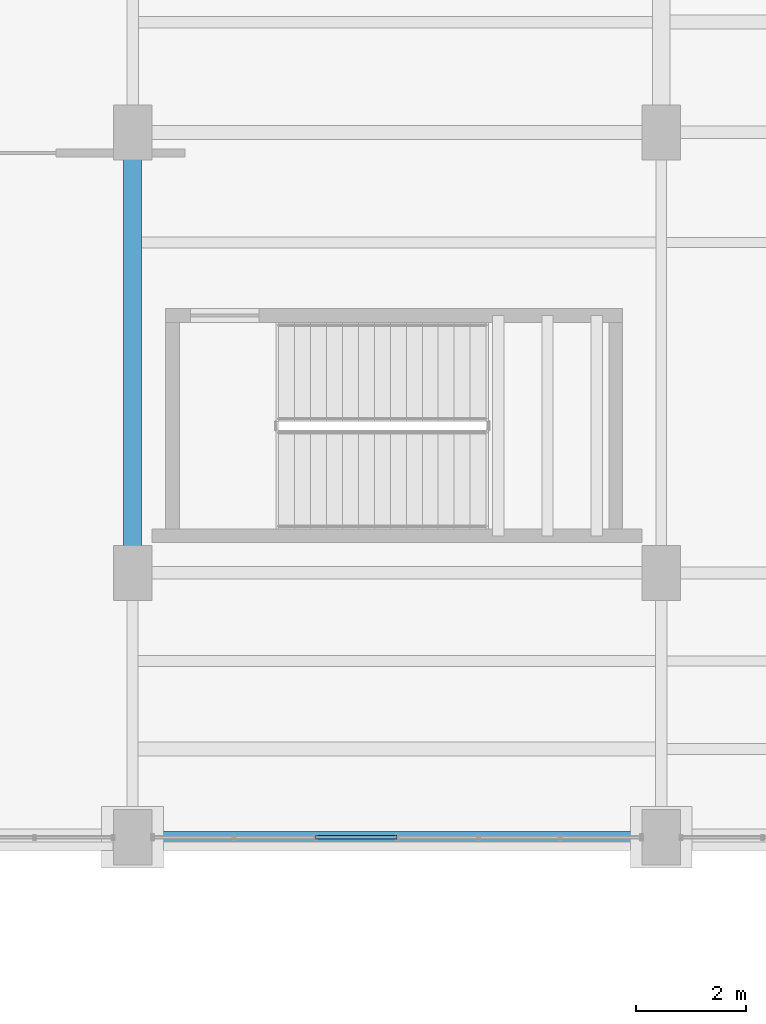
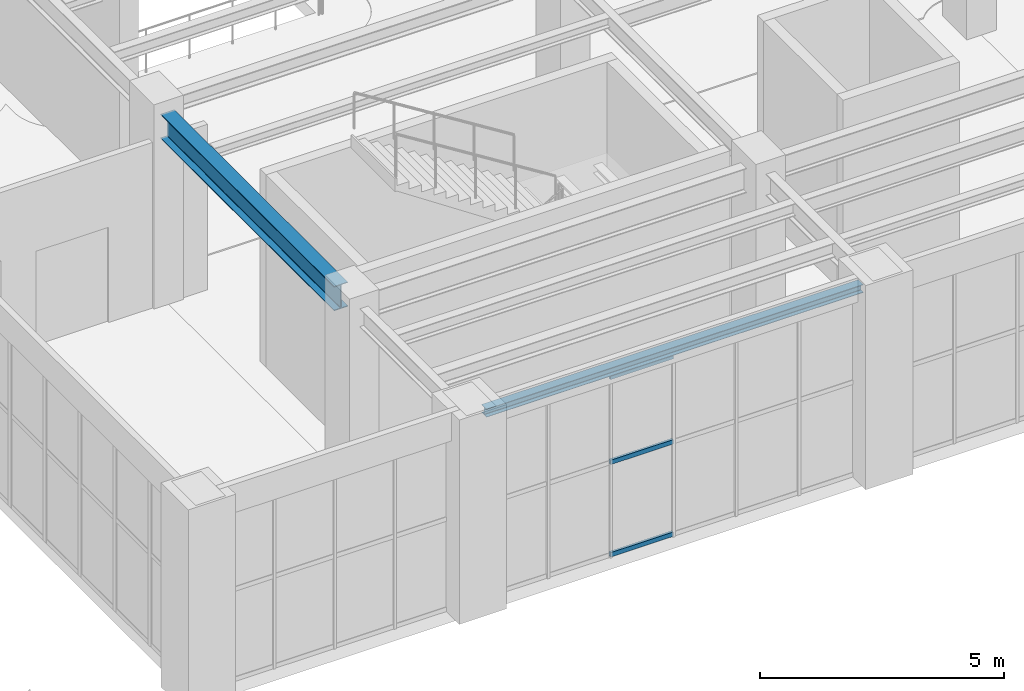
# One storey, part 56 of 174: 3 members, 2 beams, 1 element without a shape of its own.
"""IFC4 building model written with IfcOpenShell, lengths in metres."""

from ifc_helpers import new_model, si_unit, direction, frame, origin, origin_2d, place, context, subcontext, project, spatial, hollow_rectangle, i_section, extrude, material, material_profile, profile_set, type_object, element, aggregate, save


model = new_model("IFC4")

# Units and contexts
model_context = context("Model", 3, precision=1e-05, world=origin(), true_north=direction((0.0, 1.0)))
body_context = subcontext(model_context, "Body", "Model", "MODEL_VIEW")
ifc_project = project(units=[si_unit("LENGTHUNIT", "METRE"), si_unit("AREAUNIT", "SQUARE_METRE"), si_unit("VOLUMEUNIT", "CUBIC_METRE"), si_unit("PLANEANGLEUNIT", "RADIAN"), si_unit("MASSUNIT", "GRAM", prefix="KILO")], contexts=[model_context])

# Site, building, storey
site_placement = place(None, origin())
site = spatial("IfcSite", under=ifc_project, at=site_placement, CompositionType="ELEMENT")
building_placement = place(site_placement, origin())
building = spatial("IfcBuilding", under=site, at=building_placement, Name="Mavantir Sound Aquarium", CompositionType="ELEMENT")
storey_placement = place(building_placement, frame((0.0, 0.0, 5.39990234375)))
storey = spatial("IfcBuildingStorey", under=building, at=storey_placement, Name="L01", CompositionType="ELEMENT", Elevation=5.39990234375)

# Beams
ifc_material_1 = material(Name="Structural Steel ASTM A992 Gr50", Category="steel")
ifc_material_profile_1 = material_profile(ifc_material_1, i_section(OverallWidth=0.202880859375, OverallDepth=0.202880859375, WebThickness=0.007080078125, FlangeThickness=0.010986328125, FilletRadius=0.010009765625, at=origin_2d()), Name="W200X46")
ifc_profile_set_1 = profile_set([ifc_material_profile_1], Name="Structural Steel ASTM A992 Gr50")
beam_type_1 = type_object("IfcBeamType", Name="BM-W200X46-E", PredefinedType="LINTEL", material=ifc_profile_set_1)
beam_1_placement = place(storey_placement, frame((108.35009765625, 36.0, 4.674560546875), z_axis=(1.0, 0.0, 0.0), x_axis=(0.0, 1.0, 0.0)))
element("IfcBeam", 1, at=beam_1_placement, inside=storey, type_object=beam_type_1, Name="L01 primary beam SL-20 1238", PredefinedType="LINTEL", context=body_context, shape_type="SweptSolid", body=[
    extrude(i_section(OverallWidth=0.202880859375, OverallDepth=0.202880859375, WebThickness=0.007080078125, FlangeThickness=0.010986328125, FilletRadius=0.010009765625, at=origin_2d()), origin(), (0.0, 0.0, 1.0), 8.89990234375),
])
ifc_material_profile_2 = material_profile(ifc_material_1, i_section(OverallWidth=0.323974609375, OverallDepth=0.611083984375, WebThickness=0.0126953125, FlangeThickness=0.01904296875, FilletRadius=0.01904296875, at=origin_2d()), Name="W610X155")
ifc_profile_set_2 = profile_set([ifc_material_profile_2], Name="Structural Steel ASTM A992 Gr50")
beam_type_2 = type_object("IfcBeamType", Name="BM-W610X155-I", PredefinedType="BEAM", material=ifc_profile_set_2)
beam_2_placement = place(storey_placement, frame((108.0, 41.25, 4.470703125), z_axis=(0.0, 1.0, 0.0), x_axis=(-1.0, 0.0, 0.0)))
element("IfcBeam", 2, at=beam_2_placement, inside=storey, type_object=beam_type_2, Name="L01 primary girder SB-61A 1291", PredefinedType="BEAM", context=body_context, shape_type="SweptSolid", body=[
    extrude(i_section(OverallWidth=0.323974609375, OverallDepth=0.611083984375, WebThickness=0.0126953125, FlangeThickness=0.01904296875, FilletRadius=0.01904296875, at=origin_2d()), origin(), (0.0, 0.0, 1.0), 7.10009765625),
])

# Curtain wall, members
ifc_material_2 = material(Name="Anodised Marine Aluminium and Low-E Glass", Category="aluminium")
curtain_wall_type = type_object("IfcCurtainWallType", Name="CW-T02", PredefinedType="USERDEFINED", material=ifc_material_2)
curtain_wall_placement = place(storey_placement, origin())
curtain_wall = element("IfcCurtainWall", 3, at=curtain_wall_placement, inside=storey, type_object=curtain_wall_type, Name="L01 unitised curtain wall CW-02 98", ObjectType="UNITISED GLAZING", PredefinedType="USERDEFINED")
ifc_material_3 = material(Name="Anodised Marine Aluminium 6063-T6", Category="aluminium")
ifc_material_profile_3 = material_profile(ifc_material_3, hollow_rectangle(XDim=0.06005859375, YDim=0.110107421875, WallThickness=0.00390625, at=origin_2d()), Name="ALU-TRANSOM-110X60")
ifc_profile_set_3 = profile_set([ifc_material_profile_3], Name="Anodised Marine Aluminium 6063-T6")
member_type = type_object("IfcMemberType", Name="CW-TRN-110", PredefinedType="USERDEFINED", material=ifc_profile_set_3)
member_1_placement = place(storey_placement, frame((111.3193359375, 36.0, 0.05517578125), z_axis=(1.0, 0.0, 0.0), x_axis=(0.0, 1.0, 0.0)))
member_1 = element("IfcMember", 4, at=member_1_placement, type_object=member_type, Name="CW-L01-098 transom 3.1", ObjectType="TRANSOM", PredefinedType="USERDEFINED", context=body_context, shape_type="SweptSolid", body=[
    extrude(hollow_rectangle(XDim=0.06005859375, YDim=0.110107421875, WallThickness=0.00390625, at=origin_2d()), origin(), (0.0, 0.0, 1.0), 1.480712890625),
])
member_2_placement = place(storey_placement, frame((111.3193359375, 36.0, 2.362548828125), z_axis=(1.0, 0.0, 0.0), x_axis=(0.0, 1.0, 0.0)))
member_2 = element("IfcMember", 5, at=member_2_placement, type_object=member_type, Name="CW-L01-098 transom 3.2", ObjectType="TRANSOM", PredefinedType="USERDEFINED", context=body_context, shape_type="SweptSolid", body=[
    extrude(hollow_rectangle(XDim=0.06005859375, YDim=0.110107421875, WallThickness=0.00390625, at=origin_2d()), origin(), (0.0, 0.0, 1.0), 1.480712890625),
])
member_3_placement = place(storey_placement, frame((111.3193359375, 36.0, 4.488037109375), z_axis=(1.0, 0.0, 0.0), x_axis=(0.0, 1.0, 0.0)))
member_3 = element("IfcMember", 6, at=member_3_placement, type_object=member_type, Name="CW-L01-098 transom 3.3", ObjectType="TRANSOM", PredefinedType="USERDEFINED", context=body_context, shape_type="SweptSolid", body=[
    extrude(hollow_rectangle(XDim=0.06005859375, YDim=0.110107421875, WallThickness=0.00390625, at=origin_2d()), origin(), (0.0, 0.0, 1.0), 1.480712890625),
])
aggregate(curtain_wall, [member_1, member_2, member_3])

save(model, "model.ifc")
